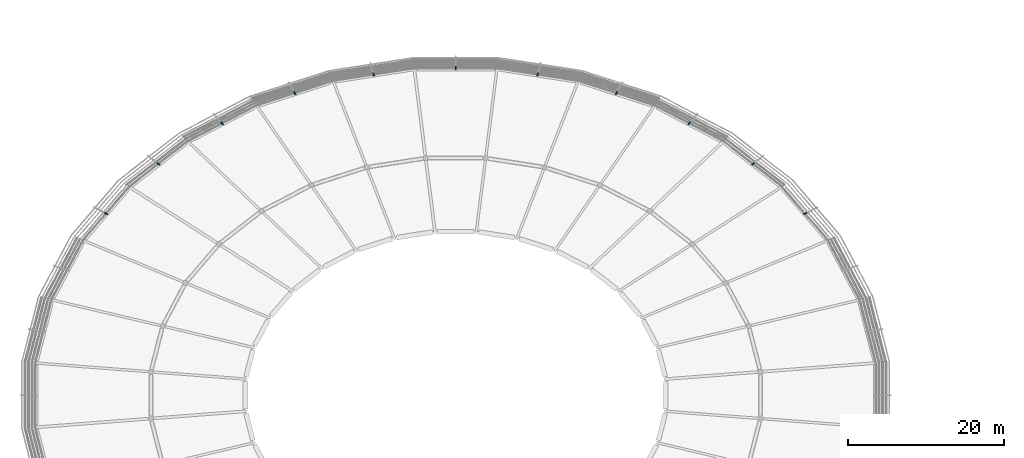
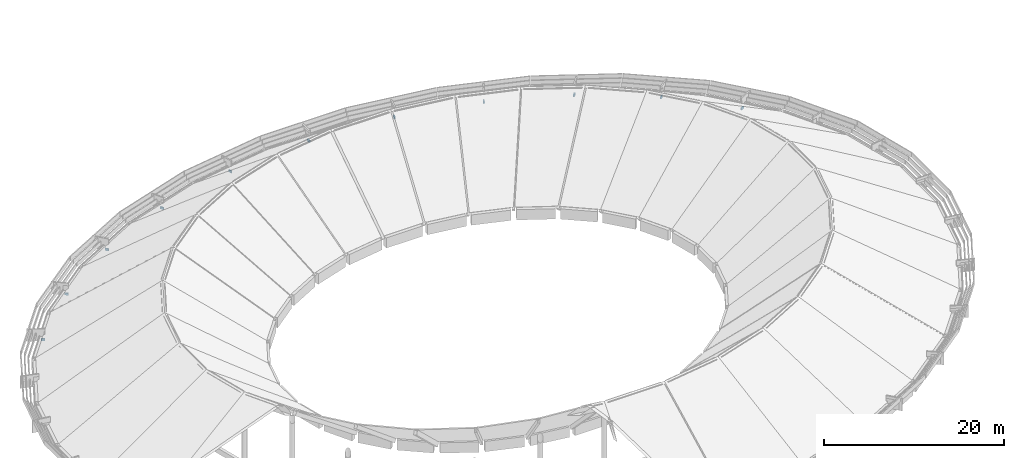
# One storey, part 14 of 15: 11 discrete accessories.
"""IFC4 building model written with IfcOpenShell, lengths in metres."""

from ifc_helpers import new_model, si_unit, direction, frame, origin, origin_2d, place, context, subcontext, project, spatial, rectangle, extrude, material, type_object, element, save


model = new_model("IFC4")

# Units and contexts
model_context = context("Model", 3, precision=1e-05, world=origin(), true_north=direction((0.0, 1.0)))
body_context = subcontext(model_context, "Body", "Model", "MODEL_VIEW")
ifc_project = project(units=[si_unit("LENGTHUNIT", "METRE"), si_unit("AREAUNIT", "SQUARE_METRE"), si_unit("VOLUMEUNIT", "CUBIC_METRE"), si_unit("PLANEANGLEUNIT", "RADIAN"), si_unit("MASSUNIT", "GRAM", prefix="KILO")], contexts=[model_context])

# Site, building, storey
site_placement = place(None, origin())
site = spatial("IfcSite", under=ifc_project, at=site_placement, CompositionType="ELEMENT")
building_placement = place(site_placement, origin())
building = spatial("IfcBuilding", under=site, at=building_placement, Name="Corvandel Quay Wholesale Market", CompositionType="ELEMENT")
storey_placement = place(building_placement, frame((0.0, 0.0, 19.199951171875)))
storey = spatial("IfcBuildingStorey", under=building, at=storey_placement, Name="RF", CompositionType="ELEMENT", Elevation=19.199951171875)

# Discrete accessories
ifc_material = material(Name="Austenitic stainless steel Grade 316", Category="steel")
discrete_accessory_type = type_object("IfcDiscreteAccessoryType", Name="Stainless Solar Fin Fixing Bracket BRK01", PredefinedType="USERDEFINED", material=ifc_material)
for number, where, z_axis, x_axis, name in (
    (1, (158.917236328125, 65.3427734375, -4.85009765625), (0.0, 0.0, 1.0), (0.887332978338, 0.461129250378, 0.0), "Fascia Outrigger Bracket 0260"),
    (2, (152.19970703125, 71.710693359375, -4.85009765625), (0.0, 0.0, 1.0), (0.789405615633, 0.613871952452, 0.0), "Fascia Outrigger Bracket 0261"),
    (3, (144.013916015625, 76.937255859375, -4.85009765625), (0.0, 0.0, 1.0), (0.65170135625, 0.758475670184, 0.0), "Fascia Outrigger Bracket 0262"),
    (4, (134.67431640625, 80.82080078125, -4.85009765625), (0.0, 0.0, 1.0), (0.470087862033, 0.882619624736, 0.0), "Fascia Outrigger Bracket 0263"),
    (5, (124.5400390625, 83.21240234375, -4.85009765625), (0.0, 0.0, 1.0), (0.247844544316, 0.968799815159, 0.0), "Fascia Outrigger Bracket 0264"),
    (6, (114.0, 84.02001953125, -4.85009765625), (0.0, 0.0, 1.0), (0.0, 1.0, 0.0), "Fascia Outrigger Bracket 0265"),
    (7, (103.4599609375, 83.21240234375, -4.85009765625), (0.0, 0.0, 1.0), (-0.247844544316, 0.968799815159, 0.0), "Fascia Outrigger Bracket 0266"),
    (8, (93.32568359375, 80.82080078125, -4.85009765625), (0.0, 0.0, 1.0), (-0.470087862033, 0.882619624736, 0.0), "Fascia Outrigger Bracket 0267"),
    (9, (83.986083984375, 76.937255859375, -4.85009765625), (0.0, 0.0, 1.0), (-0.65170135625, 0.758475670184, 0.0), "Fascia Outrigger Bracket 0268"),
    (10, (75.80029296875, 71.710693359375, -4.85009765625), (0.0, 0.0, 1.0), (-0.789405615633, 0.613871952452, 0.0), "Fascia Outrigger Bracket 0269"),
    (11, (69.082763671875, 65.3427734375, -4.85009765625), (0.0, 0.0, 1.0), (-0.887332978338, 0.461129250378, 0.0), "Fascia Outrigger Bracket 0270"),
):
    element("IfcDiscreteAccessory", number, at=place(storey_placement, frame(where, z_axis=z_axis, x_axis=x_axis)), inside=storey, type_object=discrete_accessory_type, Name=name, ObjectType="BRACKET", PredefinedType="USERDEFINED", context=body_context, shape_type="SweptSolid", body=[
        extrude(rectangle(XDim=0.43994140625, YDim=0.159912109375, at=origin_2d()), origin(), (0.0, 0.0, 1.0), 0.280029296875),
    ])

save(model, "model.ifc")
